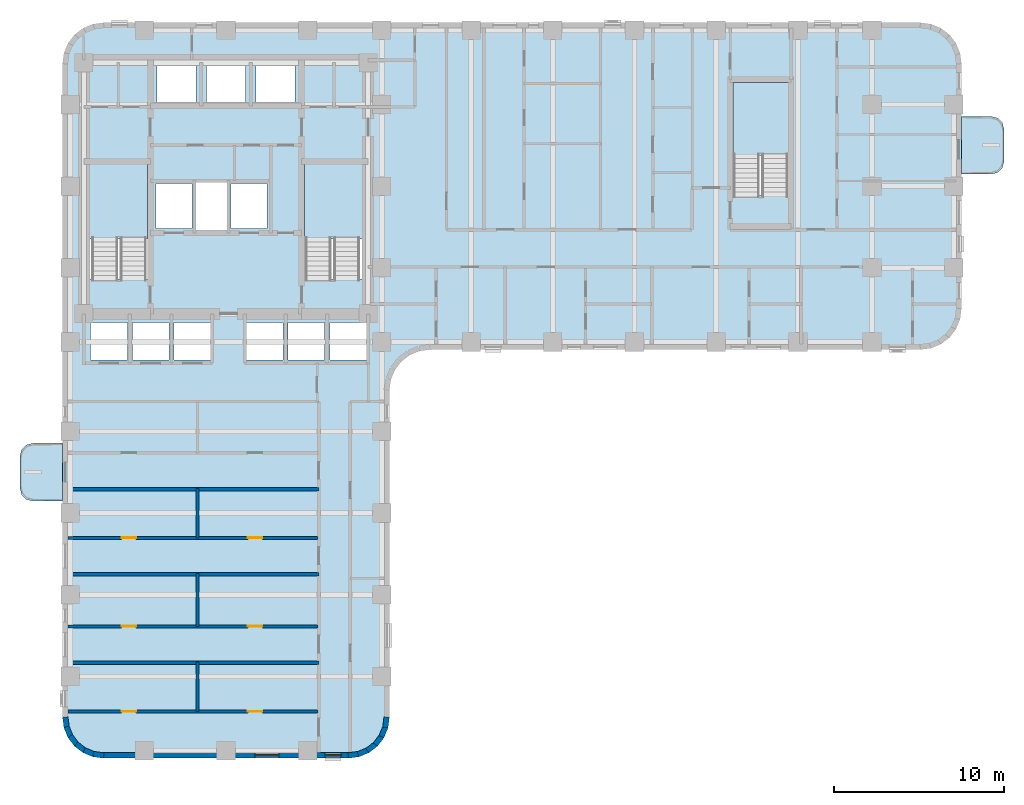
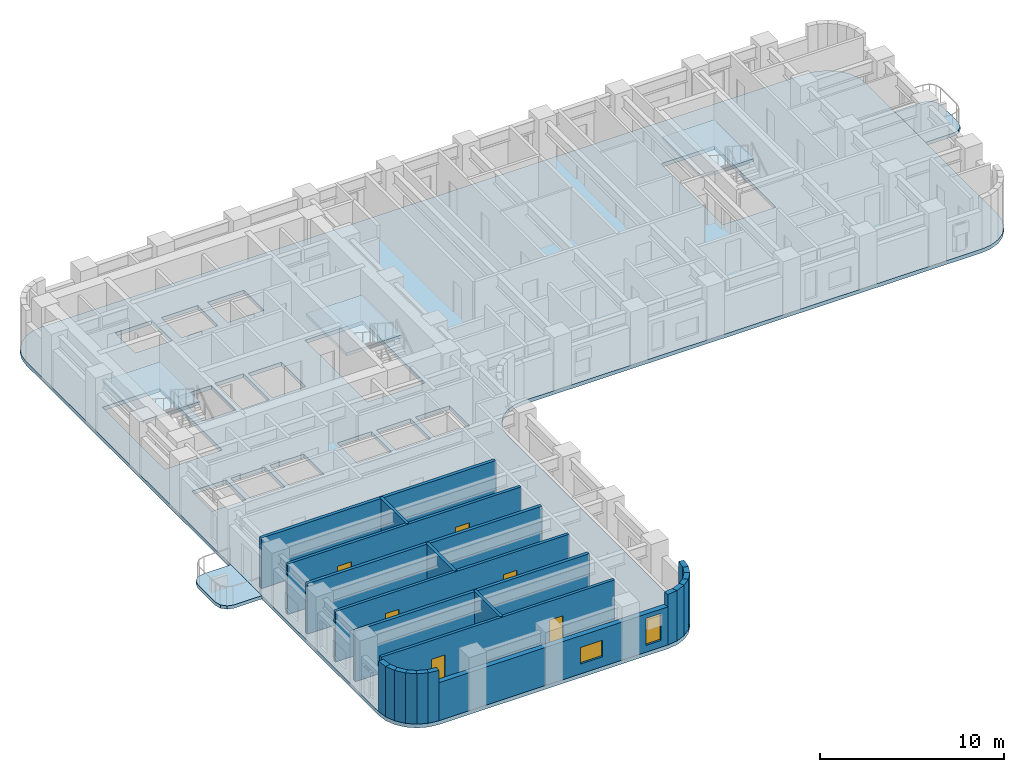
# One storey, part 2 of 11: 22 walls, 6 doors, 6 slabs, 2 windows, 8 openings, 3 elements without a shape of their own.
"""IFC4 building model written with IfcOpenShell, lengths in metres."""

from ifc_helpers import new_model, si_unit, direction, frame, frame_2d, origin, place, context, subcontext, project, spatial, polyline, rectangle, outline, extrude, material, layer, layer_set, type_object, element, fill, aggregate, save


model = new_model("IFC4")

# Units and contexts
model_context = context("Model", 3, precision=1e-05, world=origin(), true_north=direction((0.0, 1.0)))
body_context = subcontext(model_context, "Body", "Model", "MODEL_VIEW")
ifc_project = project(units=[si_unit("LENGTHUNIT", "METRE"), si_unit("AREAUNIT", "SQUARE_METRE"), si_unit("VOLUMEUNIT", "CUBIC_METRE"), si_unit("PLANEANGLEUNIT", "RADIAN"), si_unit("MASSUNIT", "GRAM", prefix="KILO")], contexts=[model_context])

# Site, building, storey
site_placement = place(None, origin())
site = spatial("IfcSite", under=ifc_project, at=site_placement, CompositionType="ELEMENT")
building_placement = place(site_placement, origin())
building = spatial("IfcBuilding", under=site, at=building_placement, Name="Orvandelia Arch Residences", CompositionType="ELEMENT")
storey_placement = place(building_placement, frame((0.0, 0.0, 86.199951171875)))
storey = spatial("IfcBuildingStorey", under=building, at=storey_placement, Name="L22", CompositionType="ELEMENT", Elevation=86.199951171875)

# Slabs
ifc_material_1 = material(Name="Precast concrete C40/50", Category="concrete")
ifc_layer_1 = layer(ifc_material_1, 0.219970703125, Name="Precast concrete C40/50", Category="concrete")
ifc_layer_set_1 = layer_set([ifc_layer_1], Name="Precast concrete C40/50")
slab_type_1 = type_object("IfcSlabType", Name="SLB-BAL-220", PredefinedType="USERDEFINED", material=ifc_layer_set_1)
slab_1_placement = place(storey_placement, frame((0.0, 0.0, -0.219970703125)))
element("IfcSlab", 1, at=slab_1_placement, inside=storey, type_object=slab_type_1, Name="Tree Balcony Cantilever Slab BAL-L22-W1", ObjectType="BALCONY", PredefinedType="USERDEFINED", context=body_context, shape_type="SweptSolid", body=[
    extrude(outline(polyline([(4.800048828125, 19.89990234375), (4.800048828125, 23.300048828125), (3.050048828125, 23.300048828125), (2.675048828125, 23.199462890625), (2.400390625, 22.925048828125), (2.300048828125, 22.550048828125), (2.300048828125, 20.64990234375), (2.400390625, 20.27490234375), (2.675048828125, 20.00048828125), (3.050048828125, 19.89990234375), (4.800048828125, 19.89990234375)])), origin(), (0.0, 0.0, 1.0), 0.219970703125),
])
slab_2_placement = place(storey_placement, frame((0.0, 0.0, -0.219970703125)))
element("IfcSlab", 2, at=slab_2_placement, inside=storey, type_object=slab_type_1, Name="Tree Balcony Cantilever Slab BAL-L22-E1", ObjectType="BALCONY", PredefinedType="USERDEFINED", context=body_context, shape_type="SweptSolid", body=[
    extrude(outline(polyline([(57.60009765625, 42.5), (57.60009765625, 39.10009765625), (59.35009765625, 39.10009765625), (59.72509765625, 39.200439453125), (59.99951171875, 39.47509765625), (60.10009765625, 39.85009765625), (60.10009765625, 41.75), (59.99951171875, 42.125), (59.72509765625, 42.3994140625), (59.35009765625, 42.5), (57.60009765625, 42.5)])), origin(), (0.0, 0.0, 1.0), 0.219970703125),
])

# Stair, slab
ifc_material_2 = material(Name="Concrete C40/50", Category="concrete")
stair_type = type_object("IfcStairType", Name="STAIR-RC-DOGLEG", PredefinedType="HALF_TURN_STAIR", material=ifc_material_2)
stair_1_placement = place(storey_placement, origin())
stair_1 = element("IfcStair", 3, at=stair_1_placement, inside=storey, type_object=stair_type, Name="L22 Protected Exit Stair ST-1", PredefinedType="HALF_TURN_STAIR")
ifc_layer_2 = layer(ifc_material_2, 0.219970703125, Name="Concrete C40/50", Category="concrete")
ifc_layer_set_2 = layer_set([ifc_layer_2], Name="Concrete C40/50")
slab_type_2 = type_object("IfcSlabType", Name="SLB-LANDING-220", PredefinedType="LANDING", material=ifc_layer_set_2)
slab_3_placement = place(storey_placement, frame((0.0, 0.0, 1.60009765625)))
slab_3 = element("IfcSlab", 4, at=slab_3_placement, type_object=slab_type_2, Name="ST-1 landing 1", PredefinedType="LANDING", context=body_context, shape_type="SweptSolid", body=[
    extrude(outline(polyline([(9.800048828125, 35.31005859375), (9.800048828125, 39.68994140625), (6.260009765625, 39.68994140625), (6.260009765625, 35.31005859375), (9.800048828125, 35.31005859375)])), origin(), (0.0, 0.0, 1.0), 0.199951171875),
])
aggregate(stair_1, [slab_3])

stair_2_placement = place(storey_placement, origin())
stair_2 = element("IfcStair", 5, at=stair_2_placement, inside=storey, type_object=stair_type, Name="L22 Protected Exit Stair ST-2", PredefinedType="HALF_TURN_STAIR")
slab_4_placement = place(storey_placement, frame((0.0, 0.0, 1.60009765625)))
slab_4 = element("IfcSlab", 6, at=slab_4_placement, type_object=slab_type_2, Name="ST-2 landing 1", PredefinedType="LANDING", context=body_context, shape_type="SweptSolid", body=[
    extrude(outline(polyline([(22.5400390625, 35.31005859375), (22.5400390625, 39.68994140625), (19.0, 39.68994140625), (19.0, 35.31005859375), (22.5400390625, 35.31005859375)])), origin(), (0.0, 0.0, 1.0), 0.199951171875),
])
aggregate(stair_2, [slab_4])

stair_3_placement = place(storey_placement, origin())
stair_3 = element("IfcStair", 7, at=stair_3_placement, inside=storey, type_object=stair_type, Name="L22 East Wing Exit Stair ST-3", PredefinedType="HALF_TURN_STAIR")
slab_5_placement = place(storey_placement, frame((0.0, 0.0, 1.60009765625)))
slab_5 = element("IfcSlab", 8, at=slab_5_placement, type_object=slab_type_2, Name="ST-3 landing 1", PredefinedType="LANDING", context=body_context, shape_type="SweptSolid", body=[
    extrude(outline(polyline([(47.43994140625, 40.2099609375), (47.43994140625, 44.5), (44.179931640625, 44.5), (44.179931640625, 40.2099609375), (47.43994140625, 40.2099609375)])), origin(), (0.0, 0.0, 1.0), 0.199951171875),
])
aggregate(stair_3, [slab_5])

# Slab
ifc_layer_3 = layer(ifc_material_2, 0.25, Name="Concrete C40/50", Category="concrete")
ifc_layer_set_3 = layer_set([ifc_layer_3], Name="Concrete C40/50")
slab_type_3 = type_object("IfcSlabType", Name="SLB-TWR-250", PredefinedType="FLOOR", material=ifc_layer_set_3)
slab_6_placement = place(storey_placement, frame((0.0, 0.0, -0.25)))
element("IfcSlab", 9, at=slab_6_placement, inside=storey, type_object=slab_type_3, Name="Structural Floor Slab L22-1", PredefinedType="FLOOR", context=body_context, shape_type="SweptSolid", body=[
    extrude(outline(polyline([(4.800048828125, 7.199951171875), (4.8818359375, 6.578857421875), (5.12158203125, 6.0), (5.5029296875, 5.5029296875), (6.0, 5.12158203125), (6.578857421875, 4.8818359375), (7.199951171875, 4.800048828125), (21.60009765625, 4.800048828125), (22.22119140625, 4.8818359375), (22.800048828125, 5.12158203125), (23.297119140625, 5.5029296875), (23.678466796875, 6.0), (23.918212890625, 6.578857421875), (24.0, 7.199951171875), (24.0, 26.39990234375), (24.081787109375, 27.021240234375), (24.321533203125, 27.60009765625), (24.702880859375, 28.09716796875), (25.199951171875, 28.478515625), (25.77880859375, 28.71826171875), (26.39990234375, 28.800048828125), (55.199951171875, 28.800048828125), (55.8212890625, 28.8818359375), (56.39990234375, 29.12158203125), (56.897216796875, 29.5029296875), (57.278564453125, 30.0), (57.518310546875, 30.578857421875), (57.60009765625, 31.199951171875), (57.60009765625, 45.60009765625), (57.518310546875, 46.22119140625), (57.278564453125, 46.800048828125), (56.897216796875, 47.297119140625), (56.39990234375, 47.678466796875), (55.8212890625, 47.918212890625), (55.199951171875, 48.0), (7.199951171875, 48.0), (6.578857421875, 47.918212890625), (6.0, 47.678466796875), (5.5029296875, 47.297119140625), (5.12158203125, 46.800048828125), (4.8818359375, 46.22119140625), (4.800048828125, 45.60009765625), (4.800048828125, 7.199951171875)]), holes=[polyline([(6.219970703125, 32.949951171875), (9.840087890625, 32.949951171875), (9.840087890625, 39.72998046875), (6.219970703125, 39.72998046875), (6.219970703125, 32.949951171875)]), polyline([(18.9599609375, 32.949951171875), (22.580078125, 32.949951171875), (22.580078125, 39.72998046875), (18.9599609375, 39.72998046875), (18.9599609375, 32.949951171875)]), polyline([(44.139892578125, 37.85009765625), (47.47998046875, 37.85009765625), (47.47998046875, 44.5400390625), (44.139892578125, 44.5400390625), (44.139892578125, 37.85009765625)]), polyline([(12.639892578125, 35.81005859375), (14.4599609375, 35.81005859375), (14.4599609375, 38.639892578125), (12.639892578125, 38.639892578125), (12.639892578125, 35.81005859375)]), polyline([(10.300048828125, 35.89990234375), (12.39990234375, 35.89990234375), (12.39990234375, 38.550048828125), (10.300048828125, 38.550048828125), (10.300048828125, 35.89990234375)]), polyline([(14.699951171875, 35.89990234375), (16.800048828125, 35.89990234375), (16.800048828125, 38.550048828125), (14.699951171875, 38.550048828125), (14.699951171875, 35.89990234375)]), polyline([(10.35009765625, 43.300048828125), (12.64990234375, 43.300048828125), (12.64990234375, 45.5), (10.35009765625, 45.5), (10.35009765625, 43.300048828125)]), polyline([(13.25, 43.300048828125), (15.550048828125, 43.300048828125), (15.550048828125, 45.5), (13.25, 45.5), (13.25, 43.300048828125)]), polyline([(16.14990234375, 43.300048828125), (18.449951171875, 43.300048828125), (18.449951171875, 45.5), (16.14990234375, 45.5), (16.14990234375, 43.300048828125)]), polyline([(6.449951171875, 28.199951171875), (8.60009765625, 28.199951171875), (8.60009765625, 30.39990234375), (6.449951171875, 30.39990234375), (6.449951171875, 28.199951171875)]), polyline([(8.89990234375, 28.199951171875), (11.050048828125, 28.199951171875), (11.050048828125, 30.39990234375), (8.89990234375, 30.39990234375), (8.89990234375, 28.199951171875)]), polyline([(11.35009765625, 28.199951171875), (13.5, 28.199951171875), (13.5, 30.39990234375), (11.35009765625, 30.39990234375), (11.35009765625, 28.199951171875)]), polyline([(15.60009765625, 28.199951171875), (17.75, 28.199951171875), (17.75, 30.39990234375), (15.60009765625, 30.39990234375), (15.60009765625, 28.199951171875)]), polyline([(18.050048828125, 28.199951171875), (20.199951171875, 28.199951171875), (20.199951171875, 30.39990234375), (18.050048828125, 30.39990234375), (18.050048828125, 28.199951171875)]), polyline([(20.5, 28.199951171875), (22.64990234375, 28.199951171875), (22.64990234375, 30.39990234375), (20.5, 30.39990234375), (20.5, 28.199951171875)])]), origin(), (0.0, 0.0, 1.0), 0.25),
])

# Walls
ifc_layer_4 = layer(ifc_material_2, 0.199951171875, Name="Concrete C40/50", Category="concrete")
ifc_layer_set_4 = layer_set([ifc_layer_4], Name="Concrete C40/50")
wall_type_1 = type_object("IfcWallType", Name="WL-DEM-200", PredefinedType="SOLIDWALL", material=ifc_layer_set_4)
for number, where, z_axis, x_axis, name in (
    (10, (5.1201171875, 10.39990234375, 0.0), (0.0, 0.0, 1.0), (1.0, 0.0, 0.0), "Interior Partition Wall WL-L22-DEM-WL-104"),
    (11, (5.1201171875, 15.60009765625, 0.0), (0.0, 0.0, 1.0), (1.0, 0.0, 0.0), "Interior Partition Wall WL-L22-DEM-WL-156"),
    (12, (5.1201171875, 20.60009765625, 0.0), (0.0, 0.0, 1.0), (1.0, 0.0, 0.0), "Interior Partition Wall WL-L22-DEM-WL-206"),
):
    element("IfcWall", number, at=place(storey_placement, frame(where, z_axis=z_axis, x_axis=x_axis)), inside=storey, type_object=wall_type_1, Name=name, PredefinedType="SOLIDWALL", context=body_context, shape_type="SweptSolid", body=[
        extrude(rectangle(XDim=14.72998046875, YDim=0.199951171875, at=frame_2d((7.364990234375, 0.0))), origin(), (0.0, 0.0, 1.0), 3.35009765625),
    ])
ifc_layer_5 = layer(ifc_material_1, 0.320068359375, Name="Precast concrete C40/50", Category="concrete")
ifc_layer_set_5 = layer_set([ifc_layer_5], Name="Precast concrete C40/50")
wall_type_2 = type_object("IfcWallType", Name="WL-EXT-STONE-320", PredefinedType="STANDARD", material=ifc_layer_set_5)
wall_1_placement = place(storey_placement, frame((23.84130859375, 7.220947265625, 0.0), z_axis=(0.0, 0.0, 1.0), x_axis=(-0.130504898859, -0.991447664465, 0.0)))
element("IfcWall", 13, at=wall_1_placement, inside=storey, type_object=wall_type_2, Name="Coral-Limestone Precast Facade Wall L22-029", PredefinedType="STANDARD", context=body_context, shape_type="SweptSolid", body=[
    extrude(rectangle(XDim=0.626708984375, YDim=0.320068359375, at=frame_2d((0.3134765625, 0.0))), origin(), (0.0, 0.0, 1.0), 3.35009765625),
])
wall_2_placement = place(storey_placement, frame((23.7705078125, 6.639892578125, 0.0), z_axis=(0.0, 0.0, 1.0), x_axis=(-0.382787856107, -0.923836271867, 0.0)))
element("IfcWall", 14, at=wall_2_placement, inside=storey, type_object=wall_type_2, Name="Coral-Limestone Precast Facade Wall L22-030", PredefinedType="STANDARD", context=body_context, shape_type="SweptSolid", body=[
    extrude(rectangle(XDim=0.626220703125, YDim=0.320068359375, at=frame_2d((0.31298828125, 0.0))), origin(), (0.0, 0.0, 1.0), 3.35009765625),
])
wall_3_placement = place(storey_placement, frame((23.551513671875, 6.097412109375, 0.0), z_axis=(0.0, 0.0, 1.0), x_axis=(-0.608693302629, -0.793405610854, 0.0)))
element("IfcWall", 15, at=wall_3_placement, inside=storey, type_object=wall_type_2, Name="Coral-Limestone Precast Facade Wall L22-031", PredefinedType="STANDARD", context=body_context, shape_type="SweptSolid", body=[
    extrude(rectangle(XDim=0.62646484375, YDim=0.320068359375, at=frame_2d((0.313232421875, 0.0))), origin(), (0.0, 0.0, 1.0), 3.35009765625),
])
wall_4_placement = place(storey_placement, frame((23.19970703125, 5.6298828125, 0.0), z_axis=(0.0, 0.0, 1.0), x_axis=(-0.7932174212, -0.608938521285, 0.0)))
element("IfcWall", 16, at=wall_4_placement, inside=storey, type_object=wall_type_2, Name="Coral-Limestone Precast Facade Wall L22-032", PredefinedType="STANDARD", context=body_context, shape_type="SweptSolid", body=[
    extrude(rectangle(XDim=0.626708984375, YDim=0.320068359375, at=frame_2d((0.3134765625, 0.0))), origin(), (0.0, 0.0, 1.0), 3.35009765625),
])
for number, where, z_axis, x_axis, name in (
    (17, (22.73876953125, 5.269287109375, 0.0), (0.0, 0.0, 1.0), (-0.92389335771, -0.382650053678, 0.0), "Coral-Limestone Precast Facade Wall L22-033"),
    (18, (22.2001953125, 5.040283203125, 0.0), (0.0, 0.0, 1.0), (-0.9914410257, -0.130555323746, 0.0), "Coral-Limestone Precast Facade Wall L22-034"),
):
    element("IfcWall", number, at=place(storey_placement, frame(where, z_axis=z_axis, x_axis=x_axis)), inside=storey, type_object=wall_type_2, Name=name, PredefinedType="STANDARD", context=body_context, shape_type="SweptSolid", body=[
        extrude(rectangle(XDim=0.62646484375, YDim=0.320068359375, at=frame_2d((0.313232421875, 0.0))), origin(), (0.0, 0.0, 1.0), 3.35009765625),
    ])

# Wall, openings, windows
wall_5_placement = place(storey_placement, frame((21.60009765625, 4.9599609375, 0.0), z_axis=(0.0, 0.0, 1.0), x_axis=(-1.0, 0.0, 0.0)))
wall_5 = element("IfcWall", 19, at=wall_5_placement, inside=storey, type_object=wall_type_2, Name="Coral-Limestone Precast Facade Wall L22-035", PredefinedType="STANDARD", context=body_context, shape_type="SweptSolid", body=[
    extrude(rectangle(XDim=14.400146484375, YDim=0.320068359375, at=frame_2d((7.2001953125, 0.0))), origin(), (0.0, 0.0, 1.0), 2.530029296875),
])
opening_1_placement = place(wall_5_placement, frame((4.10009765625, 0.0, 0.64990234375)))
opening_1 = element("IfcOpeningElement", 20, at=opening_1_placement, cuts=wall_5, Name="Opening W10", PredefinedType="OPENING", context=body_context, shape_type="SweptSolid", body=[
    extrude(rectangle(XDim=1.39990234375, YDim=1.10009765625, at=frame_2d((0.699951171875, 0.550048828125))), frame((0.0, 0.169921875, 0.0), z_axis=(0.0, -1.0, 0.0), x_axis=(1.0, 0.0, 0.0)), (0.0, 0.0, 1.0), 0.340087890625),
])
opening_2_placement = place(wall_5_placement, frame((0.429931640625, 0.0, 0.449951171875)))
opening_2 = element("IfcOpeningElement", 21, at=opening_2_placement, cuts=wall_5, Name="Opening W4", PredefinedType="OPENING", context=body_context, shape_type="SweptSolid", body=[
    extrude(rectangle(XDim=0.949951171875, YDim=1.800048828125, at=frame_2d((0.47509765625, 0.89990234375))), frame((0.0, 0.169921875, 0.0), z_axis=(0.0, -1.0, 0.0), x_axis=(1.0, 0.0, 0.0)), (0.0, 0.0, 1.0), 0.340087890625),
])
ifc_material_3 = material(Name="Tempered Low-E Insulated Glazing", Category="glass")
window_type_1 = type_object("IfcWindowType", Name="WIN-CLR-1400x1100", PartitioningType="SINGLE_PANEL", PredefinedType="WINDOW", material=ifc_material_3)
window_1_placement = place(opening_1_placement, origin())
window_1 = element("IfcWindow", 22, at=window_1_placement, inside=storey, type_object=window_type_1, Name="Recessed Punched Window L22-023", OverallHeight=1.10009765625, OverallWidth=1.39990234375, PartitioningType="SINGLE_PANEL", PredefinedType="WINDOW", context=body_context, shape_type="SweptSolid", body=[
    extrude(rectangle(XDim=1.39990234375, YDim=1.10009765625, at=frame_2d((0.699951171875, 0.550048828125))), frame((0.0, 0.030029296875, 0.0), z_axis=(0.0, -1.0, 0.0), x_axis=(1.0, 0.0, 0.0)), (0.0, 0.0, 1.0), 0.06005859375),
])
fill(opening_1, window_1)
window_type_2 = type_object("IfcWindowType", Name="WIN-RES-0950x1800", PartitioningType="SINGLE_PANEL", PredefinedType="WINDOW", material=ifc_material_3)
window_2_placement = place(opening_2_placement, origin())
window_2 = element("IfcWindow", 23, at=window_2_placement, inside=storey, type_object=window_type_2, Name="Recessed Punched Window L22-024", OverallHeight=1.800048828125, OverallWidth=0.949951171875, PartitioningType="SINGLE_PANEL", PredefinedType="WINDOW", context=body_context, shape_type="SweptSolid", body=[
    extrude(rectangle(XDim=0.949951171875, YDim=1.800048828125, at=frame_2d((0.47509765625, 0.89990234375))), frame((0.0, 0.030029296875, 0.0), z_axis=(0.0, -1.0, 0.0), x_axis=(1.0, 0.0, 0.0)), (0.0, 0.0, 1.0), 0.06005859375),
])
fill(opening_2, window_2)

# Walls
wall_6_placement = place(storey_placement, frame((7.220947265625, 4.95849609375, 0.0), z_axis=(0.0, 0.0, 1.0), x_axis=(-0.991447664465, 0.130504898859, 0.0)))
element("IfcWall", 24, at=wall_6_placement, inside=storey, type_object=wall_type_2, Name="Coral-Limestone Precast Facade Wall L22-036", PredefinedType="STANDARD", context=body_context, shape_type="SweptSolid", body=[
    extrude(rectangle(XDim=0.626708984375, YDim=0.320068359375, at=frame_2d((0.3134765625, 0.0))), origin(), (0.0, 0.0, 1.0), 3.35009765625),
])
wall_7_placement = place(storey_placement, frame((6.639892578125, 5.029541015625, 0.0), z_axis=(0.0, 0.0, 1.0), x_axis=(-0.923836271867, 0.382787856107, 0.0)))
element("IfcWall", 25, at=wall_7_placement, inside=storey, type_object=wall_type_2, Name="Coral-Limestone Precast Facade Wall L22-037", PredefinedType="STANDARD", context=body_context, shape_type="SweptSolid", body=[
    extrude(rectangle(XDim=0.626220703125, YDim=0.320068359375, at=frame_2d((0.31298828125, 0.0))), origin(), (0.0, 0.0, 1.0), 3.35009765625),
])
for number, where, z_axis, x_axis, name in (
    (26, (6.097412109375, 5.248291015625, 0.0), (0.0, 0.0, 1.0), (-0.7932174212, 0.608938521285, 0.0), "Coral-Limestone Precast Facade Wall L22-038"),
    (27, (5.6298828125, 5.600341796875, 0.0), (0.0, 0.0, 1.0), (-0.608938521285, 0.7932174212, 0.0), "Coral-Limestone Precast Facade Wall L22-039"),
):
    element("IfcWall", number, at=place(storey_placement, frame(where, z_axis=z_axis, x_axis=x_axis)), inside=storey, type_object=wall_type_2, Name=name, PredefinedType="STANDARD", context=body_context, shape_type="SweptSolid", body=[
        extrude(rectangle(XDim=0.626708984375, YDim=0.320068359375, at=frame_2d((0.3134765625, 0.0))), origin(), (0.0, 0.0, 1.0), 3.35009765625),
    ])
wall_8_placement = place(storey_placement, frame((5.269287109375, 6.061279296875, 0.0), z_axis=(0.0, 0.0, 1.0), x_axis=(-0.382787856107, 0.923836271867, 0.0)))
element("IfcWall", 28, at=wall_8_placement, inside=storey, type_object=wall_type_2, Name="Coral-Limestone Precast Facade Wall L22-040", PredefinedType="STANDARD", context=body_context, shape_type="SweptSolid", body=[
    extrude(rectangle(XDim=0.626220703125, YDim=0.320068359375, at=frame_2d((0.31298828125, 0.0))), origin(), (0.0, 0.0, 1.0), 3.35009765625),
])
wall_9_placement = place(storey_placement, frame((5.040283203125, 6.599609375, 0.0), z_axis=(0.0, 0.0, 1.0), x_axis=(-0.130504898859, 0.991447664465, 0.0)))
element("IfcWall", 29, at=wall_9_placement, inside=storey, type_object=wall_type_2, Name="Coral-Limestone Precast Facade Wall L22-041", PredefinedType="STANDARD", context=body_context, shape_type="SweptSolid", body=[
    extrude(rectangle(XDim=0.626708984375, YDim=0.320068359375, at=frame_2d((0.3134765625, 0.0))), origin(), (0.0, 0.0, 1.0), 3.35009765625),
])

# Wall, openings, doors
ifc_material_4 = material(Name="Moisture-Resistant Plumbing Wall")
ifc_layer_6 = layer(ifc_material_4, 0.179931640625, Name="Moisture-Resistant Plumbing Wall")
ifc_layer_set_6 = layer_set([ifc_layer_6], Name="Moisture-Resistant Plumbing Wall")
wall_type_3 = type_object("IfcWallType", Name="WL-WET-180", PredefinedType="PLUMBINGWALL", material=ifc_layer_set_6)
wall_10_placement = place(storey_placement, frame((5.1201171875, 7.5419921875, 0.0), z_axis=(0.0, 0.0, 1.0), x_axis=(1.0, 0.0, 0.0)))
wall_10 = element("IfcWall", 30, at=wall_10_placement, inside=storey, type_object=wall_type_3, Name="Interior Partition Wall WL-L22-U01-HZ", PredefinedType="PLUMBINGWALL", context=body_context, shape_type="SweptSolid", body=[
    extrude(rectangle(XDim=14.669921875, YDim=0.179931640625, at=frame_2d((7.3349609375, 0.0))), origin(), (0.0, 0.0, 1.0), 3.35009765625),
])
opening_3_placement = place(wall_10_placement, frame((3.14501953125, 0.0, 0.0)))
opening_3 = element("IfcOpeningElement", 31, at=opening_3_placement, cuts=wall_10, Name="Opening D4", PredefinedType="OPENING", context=body_context, shape_type="SweptSolid", body=[
    extrude(rectangle(XDim=0.860107421875, YDim=2.10009765625, at=frame_2d((0.43017578125, 1.050048828125))), frame((0.0, 0.10009765625, 0.0), z_axis=(0.0, -1.0, 0.0), x_axis=(1.0, 0.0, 0.0)), (0.0, 0.0, 1.0), 0.199951171875),
])
opening_4_placement = place(wall_10_placement, frame((10.56005859375, 0.0, 0.0)))
opening_4 = element("IfcOpeningElement", 32, at=opening_4_placement, cuts=wall_10, Name="Opening D4", PredefinedType="OPENING", context=body_context, shape_type="SweptSolid", body=[
    extrude(rectangle(XDim=0.860107421875, YDim=2.10009765625, at=frame_2d((0.43017578125, 1.050048828125))), frame((0.0, 0.10009765625, 0.0), z_axis=(0.0, -1.0, 0.0), x_axis=(1.0, 0.0, 0.0)), (0.0, 0.0, 1.0), 0.199951171875),
])
ifc_material_5 = material(Name="Moisture-Sealed Timber Bathroom Door", Category="wood")
door_type = type_object("IfcDoorType", Name="DR-WET-900", OperationType="NOTDEFINED", PredefinedType="DOOR", material=ifc_material_5)
door_1_placement = place(opening_3_placement, origin())
door_1 = element("IfcDoor", 33, at=door_1_placement, inside=storey, type_object=door_type, Name="DR-L22-U01-KIT", OperationType="SINGLE_SWING_LEFT", OverallHeight=2.10009765625, OverallWidth=0.860107421875, PredefinedType="DOOR", context=body_context, shape_type="SweptSolid", body=[
    extrude(rectangle(XDim=0.860107421875, YDim=2.10009765625, at=frame_2d((0.43017578125, 1.050048828125))), frame((0.0, 0.02490234375, 0.0), z_axis=(0.0, -1.0, 0.0), x_axis=(1.0, 0.0, 0.0)), (0.0, 0.0, 1.0), 0.050048828125),
])
fill(opening_3, door_1)
door_2_placement = place(opening_4_placement, origin())
door_2 = element("IfcDoor", 34, at=door_2_placement, inside=storey, type_object=door_type, Name="DR-L22-U01-BTH", OperationType="SINGLE_SWING_RIGHT", OverallHeight=2.10009765625, OverallWidth=0.860107421875, PredefinedType="DOOR", context=body_context, shape_type="SweptSolid", body=[
    extrude(rectangle(XDim=0.860107421875, YDim=2.10009765625, at=frame_2d((0.43017578125, 1.050048828125))), frame((0.0, 0.02490234375, 0.0), z_axis=(0.0, -1.0, 0.0), x_axis=(1.0, 0.0, 0.0)), (0.0, 0.0, 1.0), 0.050048828125),
])
fill(opening_4, door_2)

# Wall
wall_11_placement = place(storey_placement, frame((12.719970703125, 7.5419921875, 0.0), z_axis=(0.0, 0.0, 1.0), x_axis=(0.0, 1.0, 0.0)))
element("IfcWall", 35, at=wall_11_placement, inside=storey, type_object=wall_type_3, Name="Interior Partition Wall WL-L22-U01-V1", PredefinedType="PLUMBINGWALL", context=body_context, shape_type="SweptSolid", body=[
    extrude(rectangle(XDim=2.89794921875, YDim=0.179931640625, at=frame_2d((1.448974609375, 0.0))), origin(), (0.0, 0.0, 1.0), 3.35009765625),
])

# Wall, openings, doors
wall_12_placement = place(storey_placement, frame((5.1201171875, 12.5400390625, 0.0), z_axis=(0.0, 0.0, 1.0), x_axis=(1.0, 0.0, 0.0)))
wall_12 = element("IfcWall", 36, at=wall_12_placement, inside=storey, type_object=wall_type_3, Name="Interior Partition Wall WL-L22-U02-HZ", PredefinedType="PLUMBINGWALL", context=body_context, shape_type="SweptSolid", body=[
    extrude(rectangle(XDim=14.669921875, YDim=0.179931640625, at=frame_2d((7.3349609375, 0.0))), origin(), (0.0, 0.0, 1.0), 3.35009765625),
])
opening_5_placement = place(wall_12_placement, frame((3.14501953125, 0.0, 0.0)))
opening_5 = element("IfcOpeningElement", 37, at=opening_5_placement, cuts=wall_12, Name="Opening D4", PredefinedType="OPENING", context=body_context, shape_type="SweptSolid", body=[
    extrude(rectangle(XDim=0.860107421875, YDim=2.10009765625, at=frame_2d((0.43017578125, 1.050048828125))), frame((0.0, 0.10009765625, 0.0), z_axis=(0.0, -1.0, 0.0), x_axis=(1.0, 0.0, 0.0)), (0.0, 0.0, 1.0), 0.199951171875),
])
opening_6_placement = place(wall_12_placement, frame((10.56005859375, 0.0, 0.0)))
opening_6 = element("IfcOpeningElement", 38, at=opening_6_placement, cuts=wall_12, Name="Opening D4", PredefinedType="OPENING", context=body_context, shape_type="SweptSolid", body=[
    extrude(rectangle(XDim=0.860107421875, YDim=2.10009765625, at=frame_2d((0.43017578125, 1.050048828125))), frame((0.0, 0.10009765625, 0.0), z_axis=(0.0, -1.0, 0.0), x_axis=(1.0, 0.0, 0.0)), (0.0, 0.0, 1.0), 0.199951171875),
])
door_3_placement = place(opening_5_placement, origin())
door_3 = element("IfcDoor", 39, at=door_3_placement, inside=storey, type_object=door_type, Name="DR-L22-U02-KIT", OperationType="SINGLE_SWING_RIGHT", OverallHeight=2.10009765625, OverallWidth=0.860107421875, PredefinedType="DOOR", context=body_context, shape_type="SweptSolid", body=[
    extrude(rectangle(XDim=0.860107421875, YDim=2.10009765625, at=frame_2d((0.43017578125, 1.050048828125))), frame((0.0, 0.02490234375, 0.0), z_axis=(0.0, -1.0, 0.0), x_axis=(1.0, 0.0, 0.0)), (0.0, 0.0, 1.0), 0.050048828125),
])
fill(opening_5, door_3)
door_4_placement = place(opening_6_placement, origin())
door_4 = element("IfcDoor", 40, at=door_4_placement, inside=storey, type_object=door_type, Name="DR-L22-U02-BTH", OperationType="SINGLE_SWING_LEFT", OverallHeight=2.10009765625, OverallWidth=0.860107421875, PredefinedType="DOOR", context=body_context, shape_type="SweptSolid", body=[
    extrude(rectangle(XDim=0.860107421875, YDim=2.10009765625, at=frame_2d((0.43017578125, 1.050048828125))), frame((0.0, 0.02490234375, 0.0), z_axis=(0.0, -1.0, 0.0), x_axis=(1.0, 0.0, 0.0)), (0.0, 0.0, 1.0), 0.050048828125),
])
fill(opening_6, door_4)

# Wall
wall_13_placement = place(storey_placement, frame((12.719970703125, 12.5400390625, 0.0), z_axis=(0.0, 0.0, 1.0), x_axis=(0.0, 1.0, 0.0)))
element("IfcWall", 41, at=wall_13_placement, inside=storey, type_object=wall_type_3, Name="Interior Partition Wall WL-L22-U02-V1", PredefinedType="PLUMBINGWALL", context=body_context, shape_type="SweptSolid", body=[
    extrude(rectangle(XDim=3.099853515625, YDim=0.179931640625, at=frame_2d((1.5498046875, 0.0))), origin(), (0.0, 0.0, 1.0), 3.35009765625),
])

# Wall, openings, doors
wall_14_placement = place(storey_placement, frame((5.1201171875, 17.739990234375, 0.0), z_axis=(0.0, 0.0, 1.0), x_axis=(1.0, 0.0, 0.0)))
wall_14 = element("IfcWall", 42, at=wall_14_placement, inside=storey, type_object=wall_type_3, Name="Interior Partition Wall WL-L22-U03-HZ", PredefinedType="PLUMBINGWALL", context=body_context, shape_type="SweptSolid", body=[
    extrude(rectangle(XDim=14.669921875, YDim=0.179931640625, at=frame_2d((7.3349609375, 0.0))), origin(), (0.0, 0.0, 1.0), 3.35009765625),
])
opening_7_placement = place(wall_14_placement, frame((3.14501953125, 0.0, 0.0)))
opening_7 = element("IfcOpeningElement", 43, at=opening_7_placement, cuts=wall_14, Name="Opening D4", PredefinedType="OPENING", context=body_context, shape_type="SweptSolid", body=[
    extrude(rectangle(XDim=0.860107421875, YDim=2.10009765625, at=frame_2d((0.43017578125, 1.050048828125))), frame((0.0, 0.10009765625, 0.0), z_axis=(0.0, -1.0, 0.0), x_axis=(1.0, 0.0, 0.0)), (0.0, 0.0, 1.0), 0.199951171875),
])
opening_8_placement = place(wall_14_placement, frame((10.56005859375, 0.0, 0.0)))
opening_8 = element("IfcOpeningElement", 44, at=opening_8_placement, cuts=wall_14, Name="Opening D4", PredefinedType="OPENING", context=body_context, shape_type="SweptSolid", body=[
    extrude(rectangle(XDim=0.860107421875, YDim=2.10009765625, at=frame_2d((0.43017578125, 1.050048828125))), frame((0.0, 0.10009765625, 0.0), z_axis=(0.0, -1.0, 0.0), x_axis=(1.0, 0.0, 0.0)), (0.0, 0.0, 1.0), 0.199951171875),
])
door_5_placement = place(opening_7_placement, origin())
door_5 = element("IfcDoor", 45, at=door_5_placement, inside=storey, type_object=door_type, Name="DR-L22-U03-KIT", OperationType="SINGLE_SWING_LEFT", OverallHeight=2.10009765625, OverallWidth=0.860107421875, PredefinedType="DOOR", context=body_context, shape_type="SweptSolid", body=[
    extrude(rectangle(XDim=0.860107421875, YDim=2.10009765625, at=frame_2d((0.43017578125, 1.050048828125))), frame((0.0, 0.02490234375, 0.0), z_axis=(0.0, -1.0, 0.0), x_axis=(1.0, 0.0, 0.0)), (0.0, 0.0, 1.0), 0.050048828125),
])
fill(opening_7, door_5)
door_6_placement = place(opening_8_placement, origin())
door_6 = element("IfcDoor", 46, at=door_6_placement, inside=storey, type_object=door_type, Name="DR-L22-U03-BTH", OperationType="SINGLE_SWING_RIGHT", OverallHeight=2.10009765625, OverallWidth=0.860107421875, PredefinedType="DOOR", context=body_context, shape_type="SweptSolid", body=[
    extrude(rectangle(XDim=0.860107421875, YDim=2.10009765625, at=frame_2d((0.43017578125, 1.050048828125))), frame((0.0, 0.02490234375, 0.0), z_axis=(0.0, -1.0, 0.0), x_axis=(1.0, 0.0, 0.0)), (0.0, 0.0, 1.0), 0.050048828125),
])
fill(opening_8, door_6)

# Wall
wall_15_placement = place(storey_placement, frame((12.719970703125, 17.739990234375, 0.0), z_axis=(0.0, 0.0, 1.0), x_axis=(0.0, 1.0, 0.0)))
element("IfcWall", 47, at=wall_15_placement, inside=storey, type_object=wall_type_3, Name="Interior Partition Wall WL-L22-U03-V1", PredefinedType="PLUMBINGWALL", context=body_context, shape_type="SweptSolid", body=[
    extrude(rectangle(XDim=2.89990234375, YDim=0.179931640625, at=frame_2d((1.449951171875, 0.0))), origin(), (0.0, 0.0, 1.0), 3.35009765625),
])

save(model, "model.ifc")
